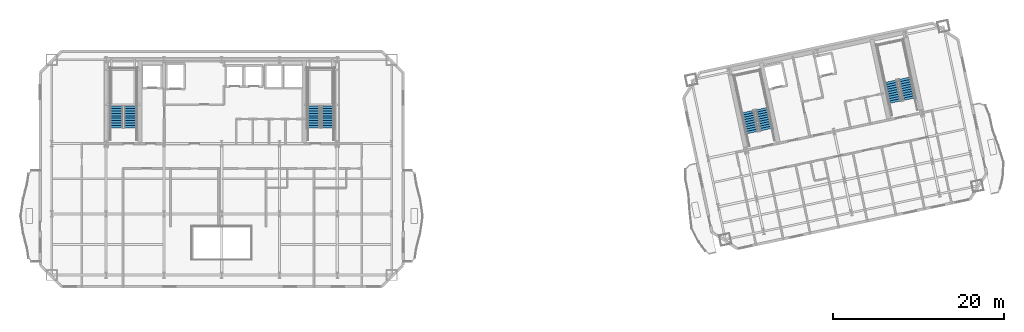
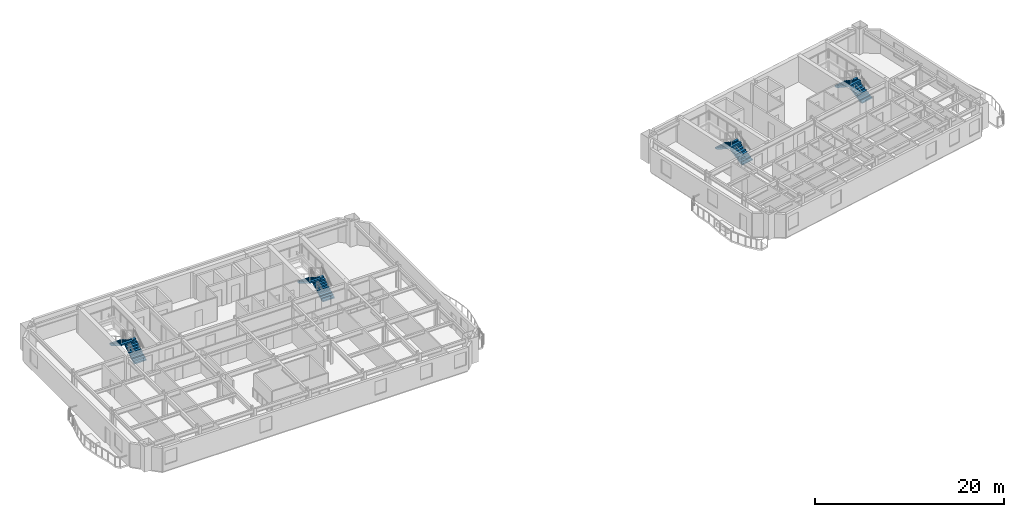
# One storey, part 9 of 13: 8 stair flights, 4 elements without a shape of their own.
"""IFC4 building model written with IfcOpenShell, lengths in metres."""

from ifc_helpers import new_model, si_unit, direction, frame, origin, place, context, subcontext, project, spatial, polyline, outline, extrude, material, type_object, element, aggregate, save


model = new_model("IFC4")

# Units and contexts
model_context = context("Model", 3, precision=1e-05, world=origin(), true_north=direction((0.0, 1.0)))
body_context = subcontext(model_context, "Body", "Model", "MODEL_VIEW")
ifc_project = project(units=[si_unit("LENGTHUNIT", "METRE"), si_unit("AREAUNIT", "SQUARE_METRE"), si_unit("VOLUMEUNIT", "CUBIC_METRE"), si_unit("PLANEANGLEUNIT", "RADIAN"), si_unit("MASSUNIT", "GRAM", prefix="KILO")], contexts=[model_context])

# Site, building, storey
site_placement = place(None, origin())
site = spatial("IfcSite", under=ifc_project, at=site_placement, CompositionType="ELEMENT")
building_placement = place(site_placement, origin())
building = spatial("IfcBuilding", under=site, at=building_placement, Name="Haevon Station Towers", CompositionType="ELEMENT")
storey_placement = place(building_placement, frame((0.0, 0.0, 142.800048828125)))
storey = spatial("IfcBuildingStorey", under=building, at=storey_placement, Name="L38", CompositionType="ELEMENT", Elevation=142.800048828125)

# Stair, stair flights
ifc_material = material(Name="Concrete C40/50", Category="concrete")
stair_type = type_object("IfcStairType", Name="STR-DL1450", PredefinedType="USERDEFINED", material=ifc_material)
stair_1_placement = place(storey_placement, origin())
stair_1 = element("IfcStair", 1, at=stair_1_placement, inside=storey, type_object=stair_type, Name="L38 Escape Stair ST1", ObjectType="TWO_RETURN_STAIR", PredefinedType="USERDEFINED")
stair_flight_type = type_object("IfcStairFlightType", Name="STF-ST1450", PredefinedType="STRAIGHT", material=ifc_material)
stair_flight_1_placement = place(storey_placement, frame((26.85498046875, 40.050048828125, 0.0), z_axis=(0.0, 0.0, 1.0), x_axis=(0.0, 1.0, 0.0)))
stair_flight_1 = element("IfcStairFlight", 2, at=stair_flight_1_placement, type_object=stair_flight_type, Name="L38 ST1 Flight 1", NumberOfRisers=10, NumberOfTreads=9, PredefinedType="STRAIGHT", RiserHeight=0.165, TreadLength=0.28, context=body_context, shape_type="SweptSolid", body=[
    extrude(outline(polyline([(0.0, 0.0), (0.0, 0.1650390625), (0.280029296875, 0.1650390625), (0.280029296875, 0.330078125), (0.56005859375, 0.330078125), (0.56005859375, 0.4951171875), (0.840087890625, 0.4951171875), (0.840087890625, 0.659912109375), (1.1201171875, 0.659912109375), (1.1201171875, 0.824951171875), (1.39990234375, 0.824951171875), (1.39990234375, 0.989990234375), (1.679931640625, 0.989990234375), (1.679931640625, 1.155029296875), (1.9599609375, 1.155029296875), (1.9599609375, 1.320068359375), (2.239990234375, 1.320068359375), (2.239990234375, 1.485107421875), (2.52001953125, 1.485107421875), (2.52001953125, 1.64990234375), (2.52001953125, 1.29931640625), (0.31494140625, 0.0), (0.0, 0.0)])), frame((0.0, 0.72509765625, 0.0), z_axis=(0.0, -1.0, 0.0), x_axis=(1.0, 0.0, 0.0)), (0.0, 0.0, 1.0), 1.449951171875),
])
stair_flight_2_placement = place(storey_placement, frame((25.205078125, 42.570068359375, 1.64990234375), z_axis=(0.0, 0.0, 1.0), x_axis=(0.0, -1.0, 0.0)))
stair_flight_2 = element("IfcStairFlight", 3, at=stair_flight_2_placement, type_object=stair_flight_type, Name="L38 ST1 Flight 2", NumberOfRisers=10, NumberOfTreads=9, PredefinedType="STRAIGHT", RiserHeight=0.165, TreadLength=0.28, context=body_context, shape_type="SweptSolid", body=[
    extrude(outline(polyline([(0.0, 0.0), (0.0, 0.1650390625), (0.280029296875, 0.1650390625), (0.280029296875, 0.330078125), (0.56005859375, 0.330078125), (0.56005859375, 0.4951171875), (0.840087890625, 0.4951171875), (0.840087890625, 0.659912109375), (1.1201171875, 0.659912109375), (1.1201171875, 0.824951171875), (1.39990234375, 0.824951171875), (1.39990234375, 0.989990234375), (1.679931640625, 0.989990234375), (1.679931640625, 1.155029296875), (1.9599609375, 1.155029296875), (1.9599609375, 1.320068359375), (2.239990234375, 1.320068359375), (2.239990234375, 1.485107421875), (2.52001953125, 1.485107421875), (2.52001953125, 1.64990234375), (2.52001953125, 1.29931640625), (0.31494140625, 0.0), (0.0, 0.0)])), frame((0.0, 0.72509765625, 0.0), z_axis=(0.0, -1.0, 0.0), x_axis=(1.0, 0.0, 0.0)), (0.0, 0.0, 1.0), 1.449951171875),
])
aggregate(stair_1, [stair_flight_1, stair_flight_2])

stair_2_placement = place(storey_placement, origin())
stair_2 = element("IfcStair", 4, at=stair_2_placement, inside=storey, type_object=stair_type, Name="L38 Escape Stair ST2", ObjectType="TWO_RETURN_STAIR", PredefinedType="USERDEFINED")
stair_flight_3_placement = place(storey_placement, frame((49.89501953125, 40.050048828125, 0.0), z_axis=(0.0, 0.0, 1.0), x_axis=(0.0, 1.0, 0.0)))
stair_flight_3 = element("IfcStairFlight", 5, at=stair_flight_3_placement, type_object=stair_flight_type, Name="L38 ST2 Flight 1", NumberOfRisers=10, NumberOfTreads=9, PredefinedType="STRAIGHT", RiserHeight=0.165, TreadLength=0.28, context=body_context, shape_type="SweptSolid", body=[
    extrude(outline(polyline([(0.0, 0.0), (0.0, 0.1650390625), (0.280029296875, 0.1650390625), (0.280029296875, 0.330078125), (0.56005859375, 0.330078125), (0.56005859375, 0.4951171875), (0.840087890625, 0.4951171875), (0.840087890625, 0.659912109375), (1.1201171875, 0.659912109375), (1.1201171875, 0.824951171875), (1.39990234375, 0.824951171875), (1.39990234375, 0.989990234375), (1.679931640625, 0.989990234375), (1.679931640625, 1.155029296875), (1.9599609375, 1.155029296875), (1.9599609375, 1.320068359375), (2.239990234375, 1.320068359375), (2.239990234375, 1.485107421875), (2.52001953125, 1.485107421875), (2.52001953125, 1.64990234375), (2.52001953125, 1.29931640625), (0.31494140625, 0.0), (0.0, 0.0)])), frame((0.0, 0.72509765625, 0.0), z_axis=(0.0, -1.0, 0.0), x_axis=(1.0, 0.0, 0.0)), (0.0, 0.0, 1.0), 1.449951171875),
])
stair_flight_4_placement = place(storey_placement, frame((48.2451171875, 42.570068359375, 1.64990234375), z_axis=(0.0, 0.0, 1.0), x_axis=(0.0, -1.0, 0.0)))
stair_flight_4 = element("IfcStairFlight", 6, at=stair_flight_4_placement, type_object=stair_flight_type, Name="L38 ST2 Flight 2", NumberOfRisers=10, NumberOfTreads=9, PredefinedType="STRAIGHT", RiserHeight=0.165, TreadLength=0.28, context=body_context, shape_type="SweptSolid", body=[
    extrude(outline(polyline([(0.0, 0.0), (0.0, 0.1650390625), (0.280029296875, 0.1650390625), (0.280029296875, 0.330078125), (0.56005859375, 0.330078125), (0.56005859375, 0.4951171875), (0.840087890625, 0.4951171875), (0.840087890625, 0.659912109375), (1.1201171875, 0.659912109375), (1.1201171875, 0.824951171875), (1.39990234375, 0.824951171875), (1.39990234375, 0.989990234375), (1.679931640625, 0.989990234375), (1.679931640625, 1.155029296875), (1.9599609375, 1.155029296875), (1.9599609375, 1.320068359375), (2.239990234375, 1.320068359375), (2.239990234375, 1.485107421875), (2.52001953125, 1.485107421875), (2.52001953125, 1.64990234375), (2.52001953125, 1.29931640625), (0.31494140625, 0.0), (0.0, 0.0)])), frame((0.0, 0.72509765625, 0.0), z_axis=(0.0, -1.0, 0.0), x_axis=(1.0, 0.0, 0.0)), (0.0, 0.0, 1.0), 1.449951171875),
])
aggregate(stair_2, [stair_flight_3, stair_flight_4])

stair_3_placement = place(storey_placement, origin())
stair_3 = element("IfcStair", 7, at=stair_3_placement, inside=storey, type_object=stair_type, Name="L38 Escape Stair ST3", ObjectType="TWO_RETURN_STAIR", PredefinedType="USERDEFINED")
stair_flight_5_placement = place(storey_placement, frame((101.1015625, 39.8330078125, 0.0), z_axis=(0.0, 0.0, 1.0), x_axis=(-0.207911690818, 0.978147600734, 0.0)))
stair_flight_5 = element("IfcStairFlight", 8, at=stair_flight_5_placement, type_object=stair_flight_type, Name="L38 ST3 Flight 1", NumberOfRisers=10, NumberOfTreads=9, PredefinedType="STRAIGHT", RiserHeight=0.165, TreadLength=0.28, context=body_context, shape_type="SweptSolid", body=[
    extrude(outline(polyline([(0.0, 0.0), (0.0, 0.1650390625), (0.280029296875, 0.1650390625), (0.280029296875, 0.330078125), (0.56005859375, 0.330078125), (0.56005859375, 0.4951171875), (0.840087890625, 0.4951171875), (0.840087890625, 0.659912109375), (1.1201171875, 0.659912109375), (1.1201171875, 0.824951171875), (1.39990234375, 0.824951171875), (1.39990234375, 0.989990234375), (1.679931640625, 0.989990234375), (1.679931640625, 1.155029296875), (1.9599609375, 1.155029296875), (1.9599609375, 1.320068359375), (2.239990234375, 1.320068359375), (2.239990234375, 1.485107421875), (2.52001953125, 1.485107421875), (2.52001953125, 1.64990234375), (2.52001953125, 1.29931640625), (0.31494140625, 0.0), (0.0, 0.0)])), frame((0.0, 0.72509765625, 0.0), z_axis=(0.0, -1.0, 0.0), x_axis=(1.0, 0.0, 0.0)), (0.0, 0.0, 1.0), 1.449951171875),
])
stair_flight_6_placement = place(storey_placement, frame((98.9638671875, 41.955078125, 1.64990234375), z_axis=(0.0, 0.0, 1.0), x_axis=(0.207911690818, -0.978147600734, 0.0)))
stair_flight_6 = element("IfcStairFlight", 9, at=stair_flight_6_placement, type_object=stair_flight_type, Name="L38 ST3 Flight 2", NumberOfRisers=10, NumberOfTreads=9, PredefinedType="STRAIGHT", RiserHeight=0.165, TreadLength=0.28, context=body_context, shape_type="SweptSolid", body=[
    extrude(outline(polyline([(0.0, 0.0), (0.0, 0.1650390625), (0.280029296875, 0.1650390625), (0.280029296875, 0.330078125), (0.56005859375, 0.330078125), (0.56005859375, 0.4951171875), (0.840087890625, 0.4951171875), (0.840087890625, 0.659912109375), (1.1201171875, 0.659912109375), (1.1201171875, 0.824951171875), (1.39990234375, 0.824951171875), (1.39990234375, 0.989990234375), (1.679931640625, 0.989990234375), (1.679931640625, 1.155029296875), (1.9599609375, 1.155029296875), (1.9599609375, 1.320068359375), (2.239990234375, 1.320068359375), (2.239990234375, 1.485107421875), (2.52001953125, 1.485107421875), (2.52001953125, 1.64990234375), (2.52001953125, 1.29931640625), (0.31494140625, 0.0), (0.0, 0.0)])), frame((0.0, 0.72509765625, 0.0), z_axis=(0.0, -1.0, 0.0), x_axis=(1.0, 0.0, 0.0)), (0.0, 0.0, 1.0), 1.449951171875),
])
aggregate(stair_3, [stair_flight_5, stair_flight_6])

stair_4_placement = place(storey_placement, origin())
stair_4 = element("IfcStair", 10, at=stair_4_placement, inside=storey, type_object=stair_type, Name="L38 Escape Stair ST4", ObjectType="TWO_RETURN_STAIR", PredefinedType="USERDEFINED")
stair_flight_7_placement = place(storey_placement, frame((117.788818359375, 43.380126953125, 0.0), z_axis=(0.0, 0.0, 1.0), x_axis=(-0.207911690818, 0.978147600734, 0.0)))
stair_flight_7 = element("IfcStairFlight", 11, at=stair_flight_7_placement, type_object=stair_flight_type, Name="L38 ST4 Flight 1", NumberOfRisers=10, NumberOfTreads=9, PredefinedType="STRAIGHT", RiserHeight=0.165, TreadLength=0.28, context=body_context, shape_type="SweptSolid", body=[
    extrude(outline(polyline([(0.0, 0.0), (0.0, 0.1650390625), (0.280029296875, 0.1650390625), (0.280029296875, 0.330078125), (0.56005859375, 0.330078125), (0.56005859375, 0.4951171875), (0.840087890625, 0.4951171875), (0.840087890625, 0.659912109375), (1.1201171875, 0.659912109375), (1.1201171875, 0.824951171875), (1.39990234375, 0.824951171875), (1.39990234375, 0.989990234375), (1.679931640625, 0.989990234375), (1.679931640625, 1.155029296875), (1.9599609375, 1.155029296875), (1.9599609375, 1.320068359375), (2.239990234375, 1.320068359375), (2.239990234375, 1.485107421875), (2.52001953125, 1.485107421875), (2.52001953125, 1.64990234375), (2.52001953125, 1.29931640625), (0.31494140625, 0.0), (0.0, 0.0)])), frame((0.0, 0.72509765625, 0.0), z_axis=(0.0, -1.0, 0.0), x_axis=(1.0, 0.0, 0.0)), (0.0, 0.0, 1.0), 1.449951171875),
])
stair_flight_8_placement = place(storey_placement, frame((115.65087890625, 45.501953125, 1.64990234375), z_axis=(0.0, 0.0, 1.0), x_axis=(0.207911690818, -0.978147600734, 0.0)))
stair_flight_8 = element("IfcStairFlight", 12, at=stair_flight_8_placement, type_object=stair_flight_type, Name="L38 ST4 Flight 2", NumberOfRisers=10, NumberOfTreads=9, PredefinedType="STRAIGHT", RiserHeight=0.165, TreadLength=0.28, context=body_context, shape_type="SweptSolid", body=[
    extrude(outline(polyline([(0.0, 0.0), (0.0, 0.1650390625), (0.280029296875, 0.1650390625), (0.280029296875, 0.330078125), (0.56005859375, 0.330078125), (0.56005859375, 0.4951171875), (0.840087890625, 0.4951171875), (0.840087890625, 0.659912109375), (1.1201171875, 0.659912109375), (1.1201171875, 0.824951171875), (1.39990234375, 0.824951171875), (1.39990234375, 0.989990234375), (1.679931640625, 0.989990234375), (1.679931640625, 1.155029296875), (1.9599609375, 1.155029296875), (1.9599609375, 1.320068359375), (2.239990234375, 1.320068359375), (2.239990234375, 1.485107421875), (2.52001953125, 1.485107421875), (2.52001953125, 1.64990234375), (2.52001953125, 1.29931640625), (0.31494140625, 0.0), (0.0, 0.0)])), frame((0.0, 0.72509765625, 0.0), z_axis=(0.0, -1.0, 0.0), x_axis=(1.0, 0.0, 0.0)), (0.0, 0.0, 1.0), 1.449951171875),
])
aggregate(stair_4, [stair_flight_7, stair_flight_8])

save(model, "model.ifc")
